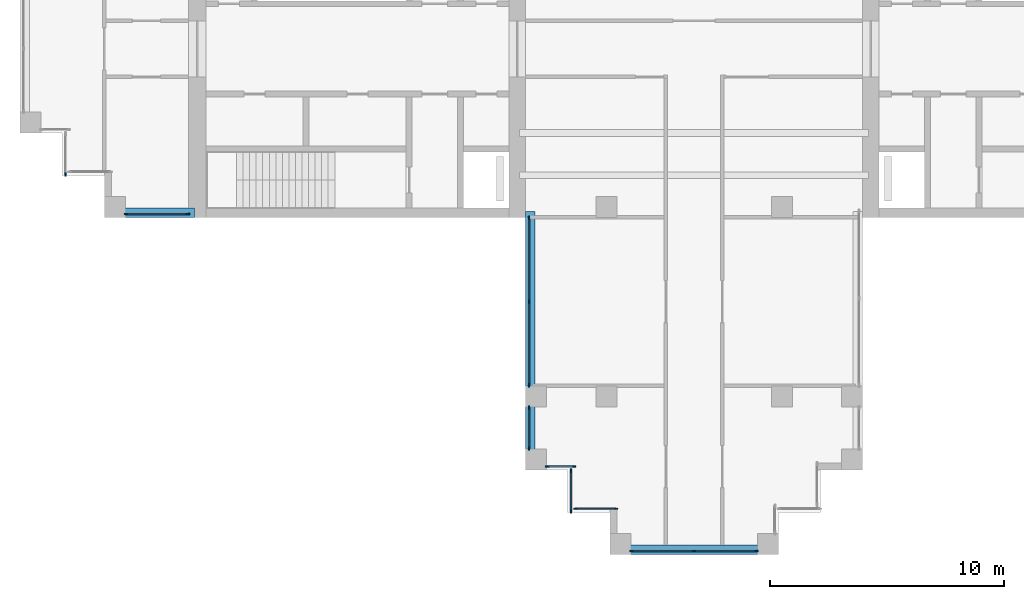
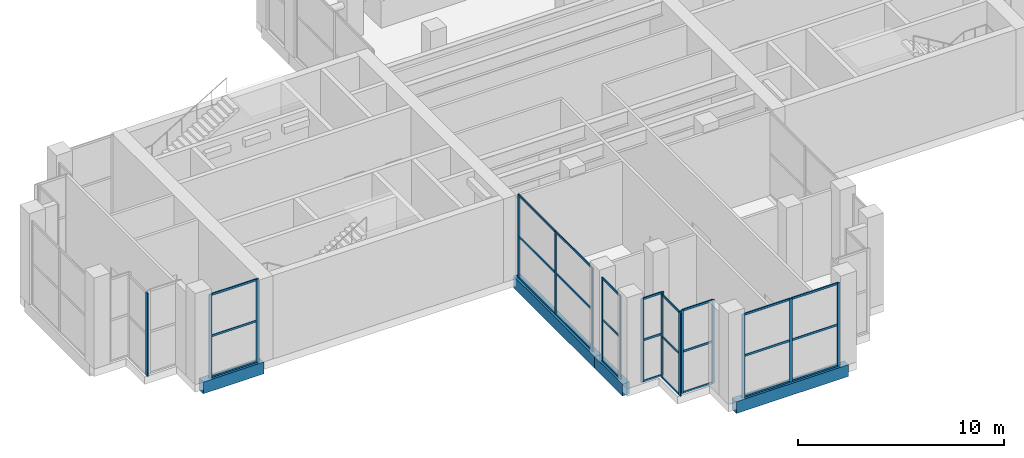
# One storey, part 2 of 13: 44 members, 4 beams, 8 elements without a shape of their own.
"""IFC4 building model written with IfcOpenShell, lengths in metres."""

from ifc_helpers import new_model, si_unit, direction, frame, origin, origin_2d, place, context, subcontext, project, spatial, rectangle, extrude, material, material_profile, profile_set, type_object, element, aggregate, save


model = new_model("IFC4")

# Units and contexts
model_context = context("Model", 3, precision=1e-05, world=origin(), true_north=direction((0.0, 1.0)))
body_context = subcontext(model_context, "Body", "Model", "MODEL_VIEW")
ifc_project = project(units=[si_unit("LENGTHUNIT", "METRE"), si_unit("AREAUNIT", "SQUARE_METRE"), si_unit("VOLUMEUNIT", "CUBIC_METRE"), si_unit("PLANEANGLEUNIT", "RADIAN"), si_unit("MASSUNIT", "GRAM", prefix="KILO")], contexts=[model_context])

# Site, building, storey
site_placement = place(None, origin())
site = spatial("IfcSite", under=ifc_project, at=site_placement, CompositionType="ELEMENT")
building_placement = place(site_placement, origin())
building = spatial("IfcBuilding", under=site, at=building_placement, Name="Fustian Cross Tower", CompositionType="ELEMENT")
storey_placement = place(building_placement, frame((0.0, 0.0, 242.10009765625)))
storey = spatial("IfcBuildingStorey", under=building, at=storey_placement, Name="L76", CompositionType="ELEMENT", Elevation=242.10009765625)

# Curtain wall, member
ifc_material_1 = material(Name="Glass", Category="glass")
curtain_wall_type = type_object("IfcCurtainWallType", Name="CW5 CURTAIN WALL", PredefinedType="NOTDEFINED", material=ifc_material_1)
curtain_wall_1_placement = place(storey_placement, origin())
curtain_wall_1 = element("IfcCurtainWall", 1, at=curtain_wall_1_placement, inside=storey, type_object=curtain_wall_type, Name="Curtain wall CW5", PredefinedType="NOTDEFINED")
ifc_material_2 = material(Name="Aluminium alloy 6063", Category="aluminium")
ifc_material_profile_1 = material_profile(ifc_material_2, rectangle(XDim=0.06005859375, YDim=0.159912109375, at=origin_2d()), Name="CW5 MULLION 60x160")
ifc_profile_set_1 = profile_set([ifc_material_profile_1], Name="Aluminium alloy 6063")
member_type_1 = type_object("IfcMemberType", Name="CW5 MULLION 60x160", PredefinedType="MULLION", material=ifc_profile_set_1)
member_1_placement = place(storey_placement, frame((-26.85009765625, -5.3701171875, 0.0), z_axis=(0.0, 0.0, 1.0), x_axis=(1.0, 0.0, 0.0)))
member_1 = element("IfcMember", 2, at=member_1_placement, type_object=member_type_1, Name="CW5 mullion 2", PredefinedType="MULLION", context=body_context, shape_type="SweptSolid", body=[
    extrude(rectangle(XDim=0.06005859375, YDim=0.159912109375, at=origin_2d()), origin(), (0.0, 0.0, 1.0), 4.949951171875),
])
aggregate(curtain_wall_1, [member_1])

# Curtain wall, members
curtain_wall_2_placement = place(storey_placement, origin())
curtain_wall_2 = element("IfcCurtainWall", 3, at=curtain_wall_2_placement, inside=storey, type_object=curtain_wall_type, Name="Curtain wall CW5", PredefinedType="NOTDEFINED")
member_2_placement = place(storey_placement, frame((-24.27001953125, -7.050048828125, 0.0), z_axis=(0.0, 0.0, 1.0), x_axis=(0.0, 1.0, 0.0)))
member_2 = element("IfcMember", 4, at=member_2_placement, type_object=member_type_1, Name="CW5 mullion 1", PredefinedType="MULLION", context=body_context, shape_type="SweptSolid", body=[
    extrude(rectangle(XDim=0.06005859375, YDim=0.159912109375, at=origin_2d()), origin(), (0.0, 0.0, 1.0), 4.949951171875),
])
member_3_placement = place(storey_placement, frame((-21.6298828125, -7.050048828125, 0.0), z_axis=(0.0, 0.0, 1.0), x_axis=(0.0, 1.0, 0.0)))
member_3 = element("IfcMember", 5, at=member_3_placement, type_object=member_type_1, Name="CW5 mullion 2", PredefinedType="MULLION", context=body_context, shape_type="SweptSolid", body=[
    extrude(rectangle(XDim=0.06005859375, YDim=0.159912109375, at=origin_2d()), origin(), (0.0, 0.0, 1.0), 4.949951171875),
])

curtain_wall_3_placement = place(storey_placement, origin())
curtain_wall_3 = element("IfcCurtainWall", 6, at=curtain_wall_3_placement, inside=storey, type_object=curtain_wall_type, Name="Curtain wall CW5", PredefinedType="NOTDEFINED")
member_4_placement = place(storey_placement, frame((-7.050048828125, -7.22998046875, 0.0), z_axis=(0.0, 0.0, 1.0), x_axis=(1.0, 0.0, 0.0)))
member_4 = element("IfcMember", 7, at=member_4_placement, type_object=member_type_1, Name="CW5 mullion 1", PredefinedType="MULLION", context=body_context, shape_type="SweptSolid", body=[
    extrude(rectangle(XDim=0.06005859375, YDim=0.159912109375, at=origin_2d()), origin(), (0.0, 0.0, 1.0), 4.949951171875),
])
member_5_placement = place(storey_placement, frame((-7.050048828125, -10.800048828125, 0.0), z_axis=(0.0, 0.0, 1.0), x_axis=(1.0, 0.0, 0.0)))
member_5 = element("IfcMember", 8, at=member_5_placement, type_object=member_type_1, Name="CW5 mullion 2", PredefinedType="MULLION", context=body_context, shape_type="SweptSolid", body=[
    extrude(rectangle(XDim=0.06005859375, YDim=0.159912109375, at=origin_2d()), origin(), (0.0, 0.0, 1.0), 4.949951171875),
])
member_6_placement = place(storey_placement, frame((-7.050048828125, -14.3701171875, 0.0), z_axis=(0.0, 0.0, 1.0), x_axis=(1.0, 0.0, 0.0)))
member_6 = element("IfcMember", 9, at=member_6_placement, type_object=member_type_1, Name="CW5 mullion 3", PredefinedType="MULLION", context=body_context, shape_type="SweptSolid", body=[
    extrude(rectangle(XDim=0.06005859375, YDim=0.159912109375, at=origin_2d()), origin(), (0.0, 0.0, 1.0), 4.949951171875),
])

curtain_wall_4_placement = place(storey_placement, origin())
curtain_wall_4 = element("IfcCurtainWall", 10, at=curtain_wall_4_placement, inside=storey, type_object=curtain_wall_type, Name="Curtain wall CW5", PredefinedType="NOTDEFINED")
member_7_placement = place(storey_placement, frame((-7.050048828125, -15.330078125, 0.0), z_axis=(0.0, 0.0, 1.0), x_axis=(1.0, 0.0, 0.0)))
member_7 = element("IfcMember", 11, at=member_7_placement, type_object=member_type_1, Name="CW5 mullion 1", PredefinedType="MULLION", context=body_context, shape_type="SweptSolid", body=[
    extrude(rectangle(XDim=0.06005859375, YDim=0.159912109375, at=origin_2d()), origin(), (0.0, 0.0, 1.0), 4.949951171875),
])
member_8_placement = place(storey_placement, frame((-7.050048828125, -17.070068359375, 0.0), z_axis=(0.0, 0.0, 1.0), x_axis=(1.0, 0.0, 0.0)))
member_8 = element("IfcMember", 12, at=member_8_placement, type_object=member_type_1, Name="CW5 mullion 2", PredefinedType="MULLION", context=body_context, shape_type="SweptSolid", body=[
    extrude(rectangle(XDim=0.06005859375, YDim=0.159912109375, at=origin_2d()), origin(), (0.0, 0.0, 1.0), 4.949951171875),
])

curtain_wall_5_placement = place(storey_placement, origin())
curtain_wall_5 = element("IfcCurtainWall", 13, at=curtain_wall_5_placement, inside=storey, type_object=curtain_wall_type, Name="Curtain wall CW5", PredefinedType="NOTDEFINED")
member_9_placement = place(storey_placement, frame((-6.27001953125, -17.85009765625, 0.0), z_axis=(0.0, 0.0, 1.0), x_axis=(0.0, 1.0, 0.0)))
member_9 = element("IfcMember", 14, at=member_9_placement, type_object=member_type_1, Name="CW5 mullion 1", PredefinedType="MULLION", context=body_context, shape_type="SweptSolid", body=[
    extrude(rectangle(XDim=0.06005859375, YDim=0.159912109375, at=origin_2d()), origin(), (0.0, 0.0, 1.0), 4.949951171875),
])
member_10_placement = place(storey_placement, frame((-5.1298828125, -17.85009765625, 0.0), z_axis=(0.0, 0.0, 1.0), x_axis=(0.0, 1.0, 0.0)))
member_10 = element("IfcMember", 15, at=member_10_placement, type_object=member_type_1, Name="CW5 mullion 2", PredefinedType="MULLION", context=body_context, shape_type="SweptSolid", body=[
    extrude(rectangle(XDim=0.06005859375, YDim=0.159912109375, at=origin_2d()), origin(), (0.0, 0.0, 1.0), 4.949951171875),
])

curtain_wall_6_placement = place(storey_placement, origin())
curtain_wall_6 = element("IfcCurtainWall", 16, at=curtain_wall_6_placement, inside=storey, type_object=curtain_wall_type, Name="Curtain wall CW5", PredefinedType="NOTDEFINED")
member_11_placement = place(storey_placement, frame((-5.25, -18.030029296875, 0.0), z_axis=(0.0, 0.0, 1.0), x_axis=(1.0, 0.0, 0.0)))
member_11 = element("IfcMember", 17, at=member_11_placement, type_object=member_type_1, Name="CW5 mullion 1", PredefinedType="MULLION", context=body_context, shape_type="SweptSolid", body=[
    extrude(rectangle(XDim=0.06005859375, YDim=0.159912109375, at=origin_2d()), origin(), (0.0, 0.0, 1.0), 4.949951171875),
])
member_12_placement = place(storey_placement, frame((-5.25, -19.77001953125, 0.0), z_axis=(0.0, 0.0, 1.0), x_axis=(1.0, 0.0, 0.0)))
member_12 = element("IfcMember", 18, at=member_12_placement, type_object=member_type_1, Name="CW5 mullion 2", PredefinedType="MULLION", context=body_context, shape_type="SweptSolid", body=[
    extrude(rectangle(XDim=0.06005859375, YDim=0.159912109375, at=origin_2d()), origin(), (0.0, 0.0, 1.0), 4.949951171875),
])

curtain_wall_7_placement = place(storey_placement, origin())
curtain_wall_7 = element("IfcCurtainWall", 19, at=curtain_wall_7_placement, inside=storey, type_object=curtain_wall_type, Name="Curtain wall CW5", PredefinedType="NOTDEFINED")
member_13_placement = place(storey_placement, frame((-5.070068359375, -19.64990234375, 0.0), z_axis=(0.0, 0.0, 1.0), x_axis=(0.0, 1.0, 0.0)))
member_13 = element("IfcMember", 20, at=member_13_placement, type_object=member_type_1, Name="CW5 mullion 1", PredefinedType="MULLION", context=body_context, shape_type="SweptSolid", body=[
    extrude(rectangle(XDim=0.06005859375, YDim=0.159912109375, at=origin_2d()), origin(), (0.0, 0.0, 1.0), 4.949951171875),
])
member_14_placement = place(storey_placement, frame((-3.330078125, -19.64990234375, 0.0), z_axis=(0.0, 0.0, 1.0), x_axis=(0.0, 1.0, 0.0)))
member_14 = element("IfcMember", 21, at=member_14_placement, type_object=member_type_1, Name="CW5 mullion 2", PredefinedType="MULLION", context=body_context, shape_type="SweptSolid", body=[
    extrude(rectangle(XDim=0.06005859375, YDim=0.159912109375, at=origin_2d()), origin(), (0.0, 0.0, 1.0), 4.949951171875),
])

curtain_wall_8_placement = place(storey_placement, origin())
curtain_wall_8 = element("IfcCurtainWall", 22, at=curtain_wall_8_placement, inside=storey, type_object=curtain_wall_type, Name="Curtain wall CW5", PredefinedType="NOTDEFINED")
member_15_placement = place(storey_placement, frame((-2.669921875, -21.449951171875, 0.0), z_axis=(0.0, 0.0, 1.0), x_axis=(0.0, 1.0, 0.0)))
member_15 = element("IfcMember", 23, at=member_15_placement, type_object=member_type_1, Name="CW5 mullion 1", PredefinedType="MULLION", context=body_context, shape_type="SweptSolid", body=[
    extrude(rectangle(XDim=0.06005859375, YDim=0.159912109375, at=origin_2d()), origin(), (0.0, 0.0, 1.0), 4.949951171875),
])
member_16_placement = place(storey_placement, frame((0.0, -21.449951171875, 0.0), z_axis=(0.0, 0.0, 1.0), x_axis=(0.0, 1.0, 0.0)))
member_16 = element("IfcMember", 24, at=member_16_placement, type_object=member_type_1, Name="CW5 mullion 2", PredefinedType="MULLION", context=body_context, shape_type="SweptSolid", body=[
    extrude(rectangle(XDim=0.06005859375, YDim=0.159912109375, at=origin_2d()), origin(), (0.0, 0.0, 1.0), 4.949951171875),
])
member_17_placement = place(storey_placement, frame((2.669921875, -21.449951171875, 0.0), z_axis=(0.0, 0.0, 1.0), x_axis=(0.0, 1.0, 0.0)))
member_17 = element("IfcMember", 25, at=member_17_placement, type_object=member_type_1, Name="CW5 mullion 3", PredefinedType="MULLION", context=body_context, shape_type="SweptSolid", body=[
    extrude(rectangle(XDim=0.06005859375, YDim=0.159912109375, at=origin_2d()), origin(), (0.0, 0.0, 1.0), 4.949951171875),
])

# Member
ifc_material_3 = material(Name="Aluminium alloy 6063", Category="aluminium")
ifc_material_profile_2 = material_profile(ifc_material_3, rectangle(XDim=0.06005859375, YDim=0.1201171875, at=origin_2d()), Name="CW5 TRANSOM 60x120")
ifc_profile_set_2 = profile_set([ifc_material_profile_2], Name="Aluminium alloy 6063")
member_type_2 = type_object("IfcMemberType", Name="CW5 TRANSOM 60x120", PredefinedType="USERDEFINED", material=ifc_profile_set_2)
member_18_placement = place(storey_placement, frame((-24.239990234375, -7.050048828125, 0.02978515625), z_axis=(1.0, 0.0, 0.0), x_axis=(0.0, 1.0, 0.0)))
member_18 = element("IfcMember", 26, at=member_18_placement, type_object=member_type_2, Name="CW5 transom 1.1", ObjectType="TRANSOM", PredefinedType="USERDEFINED", context=body_context, shape_type="SweptSolid", body=[
    extrude(rectangle(XDim=0.06005859375, YDim=0.1201171875, at=origin_2d()), origin(), (0.0, 0.0, 1.0), 2.580078125),
])

member_19_placement = place(storey_placement, frame((-24.239990234375, -7.050048828125, 2.474853515625), z_axis=(1.0, 0.0, 0.0), x_axis=(0.0, 1.0, 0.0)))
member_19 = element("IfcMember", 27, at=member_19_placement, type_object=member_type_2, Name="CW5 transom 1.2", ObjectType="TRANSOM", PredefinedType="USERDEFINED", context=body_context, shape_type="SweptSolid", body=[
    extrude(rectangle(XDim=0.06005859375, YDim=0.1201171875, at=origin_2d()), origin(), (0.0, 0.0, 1.0), 2.580078125),
])

member_20_placement = place(storey_placement, frame((-24.239990234375, -7.050048828125, 4.919921875), z_axis=(1.0, 0.0, 0.0), x_axis=(0.0, 1.0, 0.0)))
member_20 = element("IfcMember", 28, at=member_20_placement, type_object=member_type_2, Name="CW5 transom 1.3", ObjectType="TRANSOM", PredefinedType="USERDEFINED", context=body_context, shape_type="SweptSolid", body=[
    extrude(rectangle(XDim=0.06005859375, YDim=0.1201171875, at=origin_2d()), origin(), (0.0, 0.0, 1.0), 2.580078125),
])

aggregate(curtain_wall_2, [member_2, member_3, member_18, member_19, member_20])

member_21_placement = place(storey_placement, frame((-7.050048828125, -7.260009765625, 0.02978515625), z_axis=(0.0, -1.0, 0.0), x_axis=(1.0, 0.0, 0.0)))
member_21 = element("IfcMember", 29, at=member_21_placement, type_object=member_type_2, Name="CW5 transom 1.1", ObjectType="TRANSOM", PredefinedType="USERDEFINED", context=body_context, shape_type="SweptSolid", body=[
    extrude(rectangle(XDim=0.06005859375, YDim=0.1201171875, at=origin_2d()), origin(), (0.0, 0.0, 1.0), 3.510009765625),
])

member_22_placement = place(storey_placement, frame((-7.050048828125, -7.260009765625, 2.474853515625), z_axis=(0.0, -1.0, 0.0), x_axis=(1.0, 0.0, 0.0)))
member_22 = element("IfcMember", 30, at=member_22_placement, type_object=member_type_2, Name="CW5 transom 1.2", ObjectType="TRANSOM", PredefinedType="USERDEFINED", context=body_context, shape_type="SweptSolid", body=[
    extrude(rectangle(XDim=0.06005859375, YDim=0.1201171875, at=origin_2d()), origin(), (0.0, 0.0, 1.0), 3.510009765625),
])

member_23_placement = place(storey_placement, frame((-7.050048828125, -7.260009765625, 4.919921875), z_axis=(0.0, -1.0, 0.0), x_axis=(1.0, 0.0, 0.0)))
member_23 = element("IfcMember", 31, at=member_23_placement, type_object=member_type_2, Name="CW5 transom 1.3", ObjectType="TRANSOM", PredefinedType="USERDEFINED", context=body_context, shape_type="SweptSolid", body=[
    extrude(rectangle(XDim=0.06005859375, YDim=0.1201171875, at=origin_2d()), origin(), (0.0, 0.0, 1.0), 3.510009765625),
])

member_24_placement = place(storey_placement, frame((-7.050048828125, -10.830078125, 0.02978515625), z_axis=(0.0, -1.0, 0.0), x_axis=(1.0, 0.0, 0.0)))
member_24 = element("IfcMember", 32, at=member_24_placement, type_object=member_type_2, Name="CW5 transom 2.1", ObjectType="TRANSOM", PredefinedType="USERDEFINED", context=body_context, shape_type="SweptSolid", body=[
    extrude(rectangle(XDim=0.06005859375, YDim=0.1201171875, at=origin_2d()), origin(), (0.0, 0.0, 1.0), 3.510009765625),
])

member_25_placement = place(storey_placement, frame((-7.050048828125, -10.830078125, 2.474853515625), z_axis=(0.0, -1.0, 0.0), x_axis=(1.0, 0.0, 0.0)))
member_25 = element("IfcMember", 33, at=member_25_placement, type_object=member_type_2, Name="CW5 transom 2.2", ObjectType="TRANSOM", PredefinedType="USERDEFINED", context=body_context, shape_type="SweptSolid", body=[
    extrude(rectangle(XDim=0.06005859375, YDim=0.1201171875, at=origin_2d()), origin(), (0.0, 0.0, 1.0), 3.510009765625),
])

member_26_placement = place(storey_placement, frame((-7.050048828125, -10.830078125, 4.919921875), z_axis=(0.0, -1.0, 0.0), x_axis=(1.0, 0.0, 0.0)))
member_26 = element("IfcMember", 34, at=member_26_placement, type_object=member_type_2, Name="CW5 transom 2.3", ObjectType="TRANSOM", PredefinedType="USERDEFINED", context=body_context, shape_type="SweptSolid", body=[
    extrude(rectangle(XDim=0.06005859375, YDim=0.1201171875, at=origin_2d()), origin(), (0.0, 0.0, 1.0), 3.510009765625),
])

aggregate(curtain_wall_3, [member_4, member_5, member_6, member_21, member_22, member_23, member_24, member_25, member_26])

member_27_placement = place(storey_placement, frame((-7.050048828125, -15.360107421875, 0.02978515625), z_axis=(0.0, -1.0, 0.0), x_axis=(1.0, 0.0, 0.0)))
member_27 = element("IfcMember", 35, at=member_27_placement, type_object=member_type_2, Name="CW5 transom 1.1", ObjectType="TRANSOM", PredefinedType="USERDEFINED", context=body_context, shape_type="SweptSolid", body=[
    extrude(rectangle(XDim=0.06005859375, YDim=0.1201171875, at=origin_2d()), origin(), (0.0, 0.0, 1.0), 1.679931640625),
])

member_28_placement = place(storey_placement, frame((-7.050048828125, -15.360107421875, 2.474853515625), z_axis=(0.0, -1.0, 0.0), x_axis=(1.0, 0.0, 0.0)))
member_28 = element("IfcMember", 36, at=member_28_placement, type_object=member_type_2, Name="CW5 transom 1.2", ObjectType="TRANSOM", PredefinedType="USERDEFINED", context=body_context, shape_type="SweptSolid", body=[
    extrude(rectangle(XDim=0.06005859375, YDim=0.1201171875, at=origin_2d()), origin(), (0.0, 0.0, 1.0), 1.679931640625),
])

member_29_placement = place(storey_placement, frame((-7.050048828125, -15.360107421875, 4.919921875), z_axis=(0.0, -1.0, 0.0), x_axis=(1.0, 0.0, 0.0)))
member_29 = element("IfcMember", 37, at=member_29_placement, type_object=member_type_2, Name="CW5 transom 1.3", ObjectType="TRANSOM", PredefinedType="USERDEFINED", context=body_context, shape_type="SweptSolid", body=[
    extrude(rectangle(XDim=0.06005859375, YDim=0.1201171875, at=origin_2d()), origin(), (0.0, 0.0, 1.0), 1.679931640625),
])

aggregate(curtain_wall_4, [member_7, member_8, member_27, member_28, member_29])

member_30_placement = place(storey_placement, frame((-6.239990234375, -17.85009765625, 0.02978515625), z_axis=(1.0, 0.0, 0.0), x_axis=(0.0, 1.0, 0.0)))
member_30 = element("IfcMember", 38, at=member_30_placement, type_object=member_type_2, Name="CW5 transom 1.1", ObjectType="TRANSOM", PredefinedType="USERDEFINED", context=body_context, shape_type="SweptSolid", body=[
    extrude(rectangle(XDim=0.06005859375, YDim=0.1201171875, at=origin_2d()), origin(), (0.0, 0.0, 1.0), 1.080078125),
])

member_31_placement = place(storey_placement, frame((-6.239990234375, -17.85009765625, 2.474853515625), z_axis=(1.0, 0.0, 0.0), x_axis=(0.0, 1.0, 0.0)))
member_31 = element("IfcMember", 39, at=member_31_placement, type_object=member_type_2, Name="CW5 transom 1.2", ObjectType="TRANSOM", PredefinedType="USERDEFINED", context=body_context, shape_type="SweptSolid", body=[
    extrude(rectangle(XDim=0.06005859375, YDim=0.1201171875, at=origin_2d()), origin(), (0.0, 0.0, 1.0), 1.080078125),
])

member_32_placement = place(storey_placement, frame((-6.239990234375, -17.85009765625, 4.919921875), z_axis=(1.0, 0.0, 0.0), x_axis=(0.0, 1.0, 0.0)))
member_32 = element("IfcMember", 40, at=member_32_placement, type_object=member_type_2, Name="CW5 transom 1.3", ObjectType="TRANSOM", PredefinedType="USERDEFINED", context=body_context, shape_type="SweptSolid", body=[
    extrude(rectangle(XDim=0.06005859375, YDim=0.1201171875, at=origin_2d()), origin(), (0.0, 0.0, 1.0), 1.080078125),
])

aggregate(curtain_wall_5, [member_9, member_10, member_30, member_31, member_32])

member_33_placement = place(storey_placement, frame((-5.25, -18.06005859375, 0.02978515625), z_axis=(0.0, -1.0, 0.0), x_axis=(1.0, 0.0, 0.0)))
member_33 = element("IfcMember", 41, at=member_33_placement, type_object=member_type_2, Name="CW5 transom 1.1", ObjectType="TRANSOM", PredefinedType="USERDEFINED", context=body_context, shape_type="SweptSolid", body=[
    extrude(rectangle(XDim=0.06005859375, YDim=0.1201171875, at=origin_2d()), origin(), (0.0, 0.0, 1.0), 1.679931640625),
])

member_34_placement = place(storey_placement, frame((-5.25, -18.06005859375, 2.474853515625), z_axis=(0.0, -1.0, 0.0), x_axis=(1.0, 0.0, 0.0)))
member_34 = element("IfcMember", 42, at=member_34_placement, type_object=member_type_2, Name="CW5 transom 1.2", ObjectType="TRANSOM", PredefinedType="USERDEFINED", context=body_context, shape_type="SweptSolid", body=[
    extrude(rectangle(XDim=0.06005859375, YDim=0.1201171875, at=origin_2d()), origin(), (0.0, 0.0, 1.0), 1.679931640625),
])

member_35_placement = place(storey_placement, frame((-5.25, -18.06005859375, 4.919921875), z_axis=(0.0, -1.0, 0.0), x_axis=(1.0, 0.0, 0.0)))
member_35 = element("IfcMember", 43, at=member_35_placement, type_object=member_type_2, Name="CW5 transom 1.3", ObjectType="TRANSOM", PredefinedType="USERDEFINED", context=body_context, shape_type="SweptSolid", body=[
    extrude(rectangle(XDim=0.06005859375, YDim=0.1201171875, at=origin_2d()), origin(), (0.0, 0.0, 1.0), 1.679931640625),
])

aggregate(curtain_wall_6, [member_11, member_12, member_33, member_34, member_35])

member_36_placement = place(storey_placement, frame((-5.0400390625, -19.64990234375, 0.02978515625), z_axis=(1.0, 0.0, 0.0), x_axis=(0.0, 1.0, 0.0)))
member_36 = element("IfcMember", 44, at=member_36_placement, type_object=member_type_2, Name="CW5 transom 1.1", ObjectType="TRANSOM", PredefinedType="USERDEFINED", context=body_context, shape_type="SweptSolid", body=[
    extrude(rectangle(XDim=0.06005859375, YDim=0.1201171875, at=origin_2d()), origin(), (0.0, 0.0, 1.0), 1.679931640625),
])

member_37_placement = place(storey_placement, frame((-5.0400390625, -19.64990234375, 2.474853515625), z_axis=(1.0, 0.0, 0.0), x_axis=(0.0, 1.0, 0.0)))
member_37 = element("IfcMember", 45, at=member_37_placement, type_object=member_type_2, Name="CW5 transom 1.2", ObjectType="TRANSOM", PredefinedType="USERDEFINED", context=body_context, shape_type="SweptSolid", body=[
    extrude(rectangle(XDim=0.06005859375, YDim=0.1201171875, at=origin_2d()), origin(), (0.0, 0.0, 1.0), 1.679931640625),
])

member_38_placement = place(storey_placement, frame((-5.0400390625, -19.64990234375, 4.919921875), z_axis=(1.0, 0.0, 0.0), x_axis=(0.0, 1.0, 0.0)))
member_38 = element("IfcMember", 46, at=member_38_placement, type_object=member_type_2, Name="CW5 transom 1.3", ObjectType="TRANSOM", PredefinedType="USERDEFINED", context=body_context, shape_type="SweptSolid", body=[
    extrude(rectangle(XDim=0.06005859375, YDim=0.1201171875, at=origin_2d()), origin(), (0.0, 0.0, 1.0), 1.679931640625),
])

aggregate(curtain_wall_7, [member_13, member_14, member_36, member_37, member_38])

member_39_placement = place(storey_placement, frame((-2.639892578125, -21.449951171875, 0.02978515625), z_axis=(1.0, 0.0, 0.0), x_axis=(0.0, 1.0, 0.0)))
member_39 = element("IfcMember", 47, at=member_39_placement, type_object=member_type_2, Name="CW5 transom 1.1", ObjectType="TRANSOM", PredefinedType="USERDEFINED", context=body_context, shape_type="SweptSolid", body=[
    extrude(rectangle(XDim=0.06005859375, YDim=0.1201171875, at=origin_2d()), origin(), (0.0, 0.0, 1.0), 2.60986328125),
])

member_40_placement = place(storey_placement, frame((-2.639892578125, -21.449951171875, 2.474853515625), z_axis=(1.0, 0.0, 0.0), x_axis=(0.0, 1.0, 0.0)))
member_40 = element("IfcMember", 48, at=member_40_placement, type_object=member_type_2, Name="CW5 transom 1.2", ObjectType="TRANSOM", PredefinedType="USERDEFINED", context=body_context, shape_type="SweptSolid", body=[
    extrude(rectangle(XDim=0.06005859375, YDim=0.1201171875, at=origin_2d()), origin(), (0.0, 0.0, 1.0), 2.60986328125),
])

member_41_placement = place(storey_placement, frame((-2.639892578125, -21.449951171875, 4.919921875), z_axis=(1.0, 0.0, 0.0), x_axis=(0.0, 1.0, 0.0)))
member_41 = element("IfcMember", 49, at=member_41_placement, type_object=member_type_2, Name="CW5 transom 1.3", ObjectType="TRANSOM", PredefinedType="USERDEFINED", context=body_context, shape_type="SweptSolid", body=[
    extrude(rectangle(XDim=0.06005859375, YDim=0.1201171875, at=origin_2d()), origin(), (0.0, 0.0, 1.0), 2.60986328125),
])

member_42_placement = place(storey_placement, frame((0.030029296875, -21.449951171875, 0.02978515625), z_axis=(1.0, 0.0, 0.0), x_axis=(0.0, 1.0, 0.0)))
member_42 = element("IfcMember", 50, at=member_42_placement, type_object=member_type_2, Name="CW5 transom 2.1", ObjectType="TRANSOM", PredefinedType="USERDEFINED", context=body_context, shape_type="SweptSolid", body=[
    extrude(rectangle(XDim=0.06005859375, YDim=0.1201171875, at=origin_2d()), origin(), (0.0, 0.0, 1.0), 2.60986328125),
])

member_43_placement = place(storey_placement, frame((0.030029296875, -21.449951171875, 2.474853515625), z_axis=(1.0, 0.0, 0.0), x_axis=(0.0, 1.0, 0.0)))
member_43 = element("IfcMember", 51, at=member_43_placement, type_object=member_type_2, Name="CW5 transom 2.2", ObjectType="TRANSOM", PredefinedType="USERDEFINED", context=body_context, shape_type="SweptSolid", body=[
    extrude(rectangle(XDim=0.06005859375, YDim=0.1201171875, at=origin_2d()), origin(), (0.0, 0.0, 1.0), 2.60986328125),
])

member_44_placement = place(storey_placement, frame((0.030029296875, -21.449951171875, 4.919921875), z_axis=(1.0, 0.0, 0.0), x_axis=(0.0, 1.0, 0.0)))
member_44 = element("IfcMember", 52, at=member_44_placement, type_object=member_type_2, Name="CW5 transom 2.3", ObjectType="TRANSOM", PredefinedType="USERDEFINED", context=body_context, shape_type="SweptSolid", body=[
    extrude(rectangle(XDim=0.06005859375, YDim=0.1201171875, at=origin_2d()), origin(), (0.0, 0.0, 1.0), 2.60986328125),
])

aggregate(curtain_wall_8, [member_15, member_16, member_17, member_39, member_40, member_41, member_42, member_43, member_44])

# Beams
ifc_material_4 = material(Name="Concrete C50/60", Category="concrete")
ifc_material_profile_3 = material_profile(ifc_material_4, rectangle(XDim=0.39990234375, YDim=0.699951171875, at=origin_2d()), Name="RC 400x700")
ifc_profile_set_3 = profile_set([ifc_material_profile_3], Name="Concrete C50/60")
beam_type = type_object("IfcBeamType", Name="EDGE BEAM RC 400x700 C50/60", PredefinedType="SPANDREL", material=ifc_profile_set_3)
beam_1_placement = place(storey_placement, frame((-24.75, -7.0, -0.35009765625), z_axis=(1.0, 0.0, 0.0), x_axis=(0.0, 1.0, 0.0)))
element("IfcBeam", 53, at=beam_1_placement, inside=storey, type_object=beam_type, Name="EDGE BEAM L76-11", PredefinedType="SPANDREL", context=body_context, shape_type="SweptSolid", body=[
    extrude(rectangle(XDim=0.39990234375, YDim=0.699951171875, at=origin_2d()), origin(), (0.0, 0.0, 1.0), 3.39990234375),
])
beam_2_placement = place(storey_placement, frame((-7.0, -6.949951171875, -0.35009765625), z_axis=(0.0, -1.0, 0.0), x_axis=(1.0, 0.0, 0.0)))
element("IfcBeam", 54, at=beam_2_placement, inside=storey, type_object=beam_type, Name="EDGE BEAM L76-12", PredefinedType="SPANDREL", context=body_context, shape_type="SweptSolid", body=[
    extrude(rectangle(XDim=0.39990234375, YDim=0.699951171875, at=origin_2d()), origin(), (0.0, 0.0, 1.0), 7.900146484375),
])
beam_3_placement = place(storey_placement, frame((-7.0, -14.85009765625, -0.35009765625), z_axis=(0.0, -1.0, 0.0), x_axis=(1.0, 0.0, 0.0)))
element("IfcBeam", 55, at=beam_3_placement, inside=storey, type_object=beam_type, Name="EDGE BEAM L76-13", PredefinedType="SPANDREL", context=body_context, shape_type="SweptSolid", body=[
    extrude(rectangle(XDim=0.39990234375, YDim=0.699951171875, at=origin_2d()), origin(), (0.0, 0.0, 1.0), 2.699951171875),
])
beam_4_placement = place(storey_placement, frame((-3.14990234375, -21.39990234375, -0.35009765625), z_axis=(1.0, 0.0, 0.0), x_axis=(0.0, 1.0, 0.0)))
element("IfcBeam", 56, at=beam_4_placement, inside=storey, type_object=beam_type, Name="EDGE BEAM L76-14", PredefinedType="SPANDREL", context=body_context, shape_type="SweptSolid", body=[
    extrude(rectangle(XDim=0.39990234375, YDim=0.699951171875, at=origin_2d()), origin(), (0.0, 0.0, 1.0), 6.2998046875),
])

save(model, "model.ifc")
